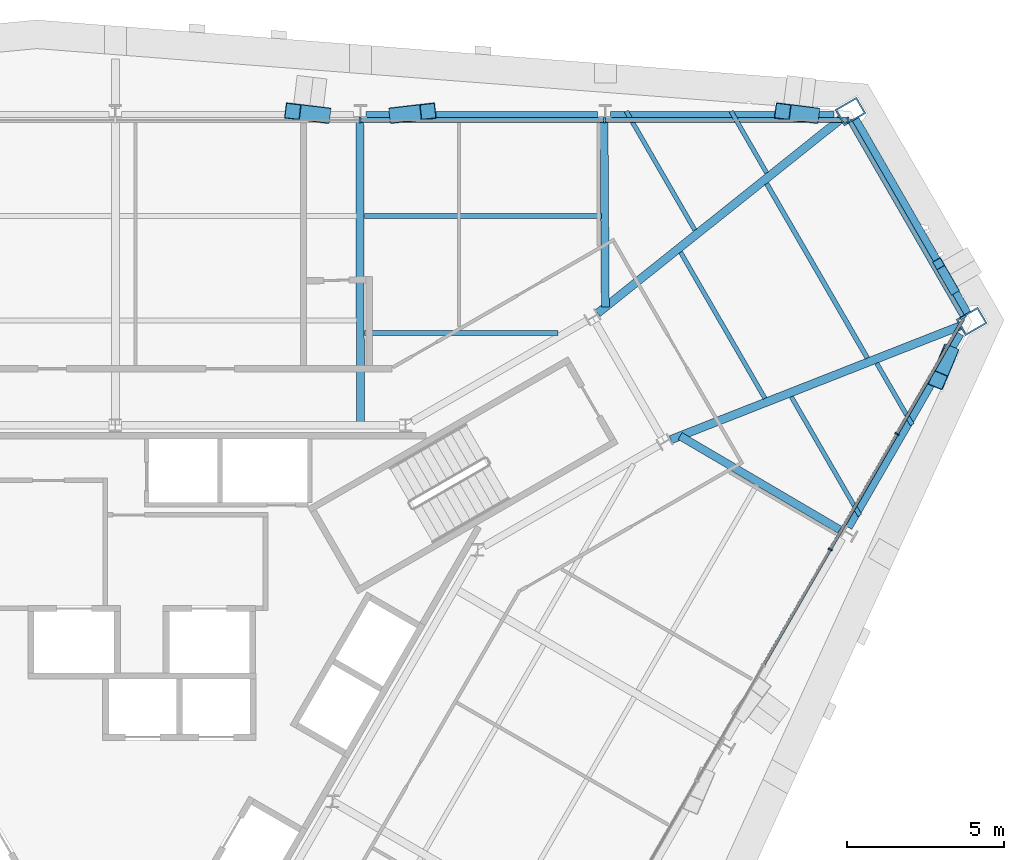
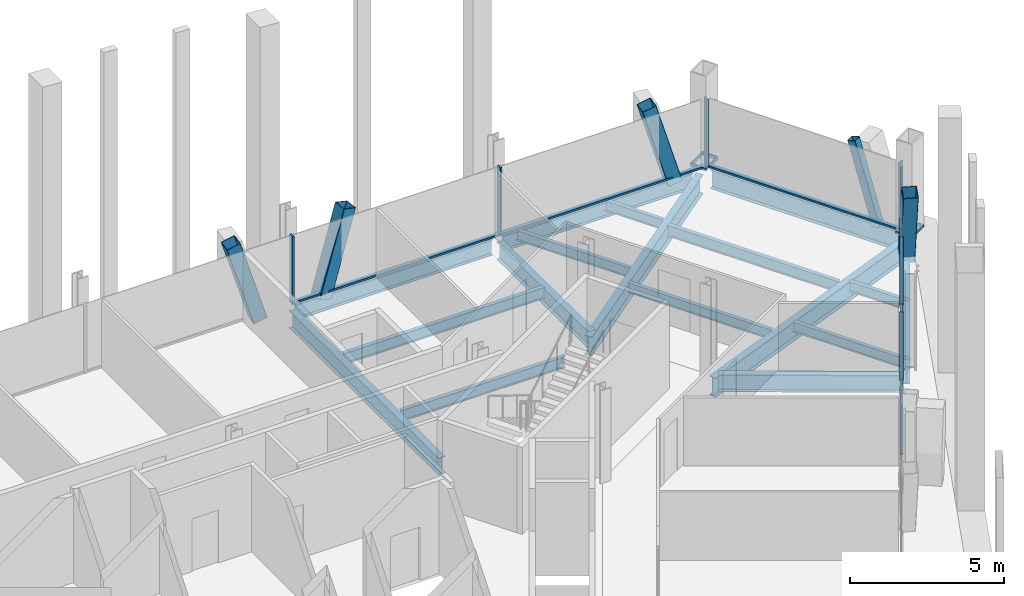
# One storey, part 10 of 17: 19 members, 17 beams, 3 elements without a shape of their own.
"""IFC4 building model written with IfcOpenShell, lengths in metres."""

from ifc_helpers import new_model, si_unit, direction, frame, origin, origin_2d, place, context, subcontext, project, spatial, rectangle, hollow_rectangle, i_section, extrude, material, material_profile, profile_set, type_object, element, aggregate, save


model = new_model("IFC4")

# Units and contexts
model_context = context("Model", 3, precision=1e-05, world=origin(), true_north=direction((0.0, 1.0)))
body_context = subcontext(model_context, "Body", "Model", "MODEL_VIEW")
ifc_project = project(units=[si_unit("LENGTHUNIT", "METRE"), si_unit("AREAUNIT", "SQUARE_METRE"), si_unit("VOLUMEUNIT", "CUBIC_METRE"), si_unit("PLANEANGLEUNIT", "RADIAN"), si_unit("MASSUNIT", "GRAM", prefix="KILO")], contexts=[model_context])

# Site, building, storey
site_placement = place(None, origin())
site = spatial("IfcSite", under=ifc_project, at=site_placement, CompositionType="ELEMENT")
building_placement = place(site_placement, origin())
building = spatial("IfcBuilding", under=site, at=building_placement, Name="Verrane Prism Tower", CompositionType="ELEMENT")
storey_placement = place(building_placement, frame((0.0, 0.0, 178.39990234375)))
storey = spatial("IfcBuildingStorey", under=building, at=storey_placement, Name="L44", CompositionType="ELEMENT", Elevation=178.39990234375)

# Member
ifc_material_1 = material(Name="Steel A500 Grade C", Category="steel")
ifc_material_profile_1 = material_profile(ifc_material_1, hollow_rectangle(XDim=0.3046875, YDim=0.3046875, WallThickness=0.0126953125, InnerFilletRadius=0.00634765625, OuterFilletRadius=0.01904296875, at=origin_2d()), Name="HSS12x12x1/2")
ifc_profile_set_1 = profile_set([ifc_material_profile_1], Name="Steel A500 Grade C")
member_type_1 = type_object("IfcMemberType", Name="Chamfer brace HSS12x12x1/2", PredefinedType="BRACE", material=ifc_profile_set_1)
member_1_placement = place(storey_placement, frame((26.722900390625, 12.34375, -0.242431640625), z_axis=(-0.143149284045, 0.247839428161, 0.958166948045), x_axis=(-0.865935940821, -0.500154922393, 0.0)))
element("IfcMember", 1, at=member_1_placement, inside=storey, type_object=member_type_1, Name="Chamfer brace NE0 L44", PredefinedType="BRACE", context=body_context, shape_type="SweptSolid", body=[
    extrude(hollow_rectangle(XDim=0.3046875, YDim=0.3046875, WallThickness=0.0126953125, InnerFilletRadius=0.00634765625, OuterFilletRadius=0.01904296875, at=origin_2d()), origin(), (0.0, 0.0, 1.0), 3.243896484375),
])

# Beams
ifc_material_2 = material(Name="Steel A992", Category="steel")
ifc_material_profile_2 = material_profile(ifc_material_2, i_section(OverallWidth=0.2666015625, OverallDepth=0.7568359375, WebThickness=0.013916015625, FlangeThickness=0.019287109375, FilletRadius=0.0166015625, at=origin_2d()), Name="W30x108")
ifc_profile_set_2 = profile_set([ifc_material_profile_2], Name="Steel A992")
beam_type_1 = type_object("IfcBeamType", Name="Chamfer spandrel beam W30x108", PredefinedType="SPANDREL", material=ifc_profile_set_2)
beam_1_placement = place(storey_placement, frame((27.169921875, 11.56982421875, -0.538330078125), z_axis=(-0.500163614961, 0.865930920033, 0.0), x_axis=(-0.865930920033, -0.500163614961, 0.0)))
element("IfcBeam", 2, at=beam_1_placement, inside=storey, type_object=beam_type_1, Name="Chamfer spandrel beam L44", PredefinedType="SPANDREL", context=body_context, shape_type="SweptSolid", body=[
    extrude(i_section(OverallWidth=0.2666015625, OverallDepth=0.7568359375, WebThickness=0.013916015625, FlangeThickness=0.019287109375, FilletRadius=0.0166015625, at=origin_2d()), origin(), (0.0, 0.0, 1.0), 7.13720703125),
])
ifc_material_3 = material(Name="Steel A992", Category="steel")
ifc_material_profile_3 = material_profile(ifc_material_3, i_section(OverallWidth=0.2666015625, OverallDepth=0.76708984375, WebThickness=0.014892578125, FlangeThickness=0.023681640625, FilletRadius=0.0166015625, at=origin_2d()), Name="W30x124")
ifc_profile_set_3 = profile_set([ifc_material_profile_3], Name="Steel A992")
beam_type_2 = type_object("IfcBeamType", Name="Corner girder W30x124", PredefinedType="BEAM", material=ifc_profile_set_3)
beam_2_placement = place(storey_placement, frame((26.943603515625, 11.162109375, -0.603515625), z_axis=(-0.930755085218, -0.365643229583, 0.0), x_axis=(0.365643229583, -0.930755085218, 0.0)))
element("IfcBeam", 3, at=beam_2_placement, inside=storey, type_object=beam_type_2, Name="Corner girder L44", PredefinedType="BEAM", context=body_context, shape_type="SweptSolid", body=[
    extrude(i_section(OverallWidth=0.2666015625, OverallDepth=0.76708984375, WebThickness=0.014892578125, FlangeThickness=0.023681640625, FilletRadius=0.0166015625, at=origin_2d()), origin(), (0.0, 0.0, 1.0), 9.9140625),
])
beam_3_placement = place(storey_placement, frame((23.1337890625, 17.757568359375, -0.603515625), z_axis=(-0.781514558867, -0.623887004415, 0.0), x_axis=(0.623887004415, -0.781514558867, 0.0)))
element("IfcBeam", 4, at=beam_3_placement, inside=storey, type_object=beam_type_2, Name="Corner girder L44", PredefinedType="BEAM", context=body_context, shape_type="SweptSolid", body=[
    extrude(i_section(OverallWidth=0.2666015625, OverallDepth=0.76708984375, WebThickness=0.014892578125, FlangeThickness=0.023681640625, FilletRadius=0.0166015625, at=origin_2d()), origin(), (0.0, 0.0, 1.0), 9.915771484375),
])

# Members
ifc_material_4 = material(Name="Steel A500 Grade C", Category="steel")
ifc_material_profile_4 = material_profile(ifc_material_4, hollow_rectangle(XDim=0.508056640625, YDim=0.508056640625, WallThickness=0.01904296875, InnerFilletRadius=0.009521484375, OuterFilletRadius=0.028564453125, at=origin_2d()), Name="HSS20x20x3/4")
ifc_profile_set_4 = profile_set([ifc_material_profile_4], Name="Steel A500 Grade C")
member_type_2 = type_object("IfcMemberType", Name="Facade brace HSS20x20x3/4", PredefinedType="BRACE", material=ifc_profile_set_4)
member_2_placement = place(storey_placement, frame((22.198486328125, 17.89453125, -0.216552734375), z_axis=(-0.273925074189, 0.034727032992, 0.96112386658), x_axis=(-0.125769007922, -0.992059552974, 0.0)))
element("IfcMember", 5, at=member_2_placement, inside=storey, type_object=member_type_2, Name="Facade brace N0 L44", PredefinedType="BRACE", context=body_context, shape_type="SweptSolid", body=[
    extrude(hollow_rectangle(XDim=0.508056640625, YDim=0.508056640625, WallThickness=0.01904296875, InnerFilletRadius=0.009521484375, OuterFilletRadius=0.028564453125, at=origin_2d()), origin(), (0.0, 0.0, 1.0), 3.325439453125),
])
member_3_placement = place(storey_placement, frame((8.987548828125, 17.89453125, -0.216552734375), z_axis=(0.294643685169, 0.034505190167, 0.95498402638), x_axis=(-0.116313331405, 0.993212569865, 0.0)))
element("IfcMember", 6, at=member_3_placement, inside=storey, type_object=member_type_2, Name="Facade brace N1 L44", PredefinedType="BRACE", context=body_context, shape_type="SweptSolid", body=[
    extrude(hollow_rectangle(XDim=0.508056640625, YDim=0.508056640625, WallThickness=0.01904296875, InnerFilletRadius=0.009521484375, OuterFilletRadius=0.028564453125, at=origin_2d()), origin(), (0.0, 0.0, 1.0), 3.3466796875),
])
member_4_placement = place(storey_placement, frame((6.6083984375, 17.89453125, -0.216552734375), z_axis=(-0.284199622973, 0.034619217529, 0.958139908406), x_axis=(-0.120919209991, -0.992662351787, 0.0)))
element("IfcMember", 7, at=member_4_placement, inside=storey, type_object=member_type_2, Name="Facade brace N2 L44", PredefinedType="BRACE", context=body_context, shape_type="SweptSolid", body=[
    extrude(hollow_rectangle(XDim=0.508056640625, YDim=0.508056640625, WallThickness=0.01904296875, InnerFilletRadius=0.009521484375, OuterFilletRadius=0.028564453125, at=origin_2d()), origin(), (0.0, 0.0, 1.0), 3.335693359375),
])
member_5_placement = place(storey_placement, frame((26.59375, 10.281982421875, -0.216552734375), z_axis=(-0.10677153414, -0.253931200177, 0.961310972097), x_axis=(0.921825945388, -0.387604084614, 0.0)))
element("IfcMember", 8, at=member_5_placement, inside=storey, type_object=member_type_2, Name="Facade brace SE5 L44", PredefinedType="BRACE", context=body_context, shape_type="SweptSolid", body=[
    extrude(hollow_rectangle(XDim=0.508056640625, YDim=0.508056640625, WallThickness=0.01904296875, InnerFilletRadius=0.009521484375, OuterFilletRadius=0.028564453125, at=origin_2d()), origin(), (0.0, 0.0, 1.0), 3.32470703125),
])

# Beams
ifc_material_5 = material(Name="Steel A992", Category="steel")
ifc_material_profile_5 = material_profile(ifc_material_5, i_section(OverallWidth=0.140380859375, OverallDepth=0.40380859375, WebThickness=0.007080078125, FlangeThickness=0.01123046875, FilletRadius=0.01025390625, at=origin_2d()), Name="W16x31")
ifc_profile_set_5 = profile_set([ifc_material_profile_5], Name="Steel A992")
beam_type_3 = type_object("IfcBeamType", Name="Floor beam W16x31", PredefinedType="BEAM", material=ifc_profile_set_5)
beam_4_placement = place(storey_placement, frame((20.77587890625, 16.046875, -0.36181640625), z_axis=(-0.50004252553, 0.866000850266, 0.0), x_axis=(-0.866000850266, -0.50004252553, 0.0)))
element("IfcBeam", 9, at=beam_4_placement, inside=storey, type_object=beam_type_3, Name="Floor beam L44", PredefinedType="BEAM", context=body_context, shape_type="SweptSolid", body=[
    extrude(i_section(OverallWidth=0.140380859375, OverallDepth=0.40380859375, WebThickness=0.007080078125, FlangeThickness=0.01123046875, FilletRadius=0.01025390625, at=origin_2d()), origin(), (0.0, 0.0, 1.0), 2.266845703125),
])
beam_5_placement = place(storey_placement, frame((18.4853515625, 14.21923828125, -0.36181640625), z_axis=(-0.499978346259, 0.866037905217, 0.0), x_axis=(-0.866037905217, -0.499978346259, 0.0)))
element("IfcBeam", 10, at=beam_5_placement, inside=storey, type_object=beam_type_3, Name="Floor beam L44", PredefinedType="BEAM", context=body_context, shape_type="SweptSolid", body=[
    extrude(i_section(OverallWidth=0.140380859375, OverallDepth=0.40380859375, WebThickness=0.007080078125, FlangeThickness=0.01123046875, FilletRadius=0.01025390625, at=origin_2d()), origin(), (0.0, 0.0, 1.0), 4.377197265625),
])
beam_6_placement = place(storey_placement, frame((25.41748046875, 8.015869140625, -0.36181640625), z_axis=(-0.49995000081, 0.866054268906, 0.0), x_axis=(-0.866054268906, -0.49995000081, 0.0)))
element("IfcBeam", 11, at=beam_6_placement, inside=storey, type_object=beam_type_3, Name="Floor beam L44", PredefinedType="BEAM", context=body_context, shape_type="SweptSolid", body=[
    extrude(i_section(OverallWidth=0.140380859375, OverallDepth=0.40380859375, WebThickness=0.007080078125, FlangeThickness=0.01123046875, FilletRadius=0.01025390625, at=origin_2d()), origin(), (0.0, 0.0, 1.0), 2.260009765625),
])
beam_7_placement = place(storey_placement, frame((23.74609375, 5.12158203125, -0.36181640625), z_axis=(-0.500001698484, 0.866024423162, 0.0), x_axis=(-0.866024423162, -0.500001698484, 0.0)))
element("IfcBeam", 12, at=beam_7_placement, inside=storey, type_object=beam_type_3, Name="Floor beam L44", PredefinedType="BEAM", context=body_context, shape_type="SweptSolid", body=[
    extrude(i_section(OverallWidth=0.140380859375, OverallDepth=0.40380859375, WebThickness=0.007080078125, FlangeThickness=0.01123046875, FilletRadius=0.01025390625, at=origin_2d()), origin(), (0.0, 0.0, 1.0), 4.3642578125),
])
beam_8_placement = place(storey_placement, frame((20.72021484375, 8.856201171875, -0.36181640625), z_axis=(-0.500019726309, 0.866014014495, 0.0), x_axis=(-0.866014014495, -0.500019726309, 0.0)))
element("IfcBeam", 13, at=beam_8_placement, inside=storey, type_object=beam_type_3, Name="Floor beam L44", PredefinedType="BEAM", context=body_context, shape_type="SweptSolid", body=[
    extrude(i_section(OverallWidth=0.140380859375, OverallDepth=0.40380859375, WebThickness=0.007080078125, FlangeThickness=0.01123046875, FilletRadius=0.01025390625, at=origin_2d()), origin(), (0.0, 0.0, 1.0), 5.379150390625),
])
ifc_material_6 = material(Name="Steel A992", Category="steel")
ifc_material_profile_6 = material_profile(ifc_material_6, i_section(OverallWidth=0.15234375, OverallDepth=0.449462890625, WebThickness=0.007568359375, FlangeThickness=0.0107421875, FilletRadius=0.01025390625, at=origin_2d()), Name="W18x35")
ifc_profile_set_6 = profile_set([ifc_material_profile_6], Name="Steel A992")
beam_type_4 = type_object("IfcBeamType", Name="Floor beam W18x35", PredefinedType="BEAM", material=ifc_profile_set_6)
beam_9_placement = place(storey_placement, frame((7.947021484375, 10.936767578125, -0.384765625), z_axis=(1.0, 0.0, 0.0), x_axis=(0.0, 1.0, 0.0)))
element("IfcBeam", 14, at=beam_9_placement, inside=storey, type_object=beam_type_4, Name="Floor beam L44", PredefinedType="BEAM", context=body_context, shape_type="SweptSolid", body=[
    extrude(i_section(OverallWidth=0.15234375, OverallDepth=0.449462890625, WebThickness=0.007568359375, FlangeThickness=0.0107421875, FilletRadius=0.01025390625, at=origin_2d()), origin(), (0.0, 0.0, 1.0), 6.1708984375),
])
beam_10_placement = place(storey_placement, frame((7.947021484375, 14.67333984375, -0.384765625), z_axis=(1.0, 0.0, 0.0), x_axis=(0.0, 1.0, 0.0)))
element("IfcBeam", 15, at=beam_10_placement, inside=storey, type_object=beam_type_4, Name="Floor beam L44", PredefinedType="BEAM", context=body_context, shape_type="SweptSolid", body=[
    extrude(i_section(OverallWidth=0.15234375, OverallDepth=0.449462890625, WebThickness=0.007568359375, FlangeThickness=0.0107421875, FilletRadius=0.01025390625, at=origin_2d()), origin(), (0.0, 0.0, 1.0), 7.555908203125),
])
beam_11_placement = place(storey_placement, frame((23.986328125, 10.1416015625, -0.384765625), z_axis=(-0.500002112793, 0.866024183959, 0.0), x_axis=(-0.866024183959, -0.500002112793, 0.0)))
element("IfcBeam", 16, at=beam_11_placement, inside=storey, type_object=beam_type_4, Name="Floor beam L44", PredefinedType="BEAM", context=body_context, shape_type="SweptSolid", body=[
    extrude(i_section(OverallWidth=0.15234375, OverallDepth=0.449462890625, WebThickness=0.007568359375, FlangeThickness=0.0107421875, FilletRadius=0.01025390625, at=origin_2d()), origin(), (0.0, 0.0, 1.0), 6.42333984375),
])

# Members
ifc_material_7 = material(Name="Steel A572 Grade 50", Category="steel")
ifc_material_profile_7 = material_profile(ifc_material_7, hollow_rectangle(XDim=0.60009765625, YDim=0.800048828125, WallThickness=0.050048828125, at=origin_2d()), Name="BOX 800x600x50")
ifc_profile_set_7 = profile_set([ifc_material_profile_7], Name="Steel A572 Grade 50")
member_type_3 = type_object("IfcMemberType", Name="Kink node BOX 800x600x50", PredefinedType="COLLAR", material=ifc_profile_set_7)
for number, where, z_axis, x_axis, name in (
    (17, (27.31298828125, 11.309814453125, -0.06494140625), (0.0, 0.0, 1.0), (0.5, -0.866025403784, 0.0), "Kink node MC4 L44"),
    (18, (23.446533203125, 18.00390625, -0.06494140625), (0.0, 0.0, 1.0), (0.5, -0.866025403784, 0.0), "Kink node MC4 L44"),
):
    element("IfcMember", number, at=place(storey_placement, frame(where, z_axis=z_axis, x_axis=x_axis)), inside=storey, type_object=member_type_3, Name=name, PredefinedType="COLLAR", context=body_context, shape_type="SweptSolid", body=[
        extrude(hollow_rectangle(XDim=0.60009765625, YDim=0.800048828125, WallThickness=0.050048828125, at=origin_2d()), origin(), (0.0, 0.0, 1.0), 0.130126953125),
    ])

# Curtain wall, members
ifc_material_8 = material(Name="Aluminium framed insulated glazing", Category="aluminium")
curtain_wall_type_1 = type_object("IfcCurtainWallType", Name="Curtain wall CW-C 4200 module", PredefinedType="NOTDEFINED", material=ifc_material_8)
curtain_wall_1_placement = place(storey_placement, origin())
curtain_wall_1 = element("IfcCurtainWall", 19, at=curtain_wall_1_placement, inside=storey, type_object=curtain_wall_type_1, Name="Glazed curtain wall south-east face L44", PredefinedType="NOTDEFINED")
ifc_material_9 = material(Name="Aluminium alloy 6063-T6", Category="aluminium")
ifc_material_profile_8 = material_profile(ifc_material_9, rectangle(XDim=0.139892578125, YDim=0.050048828125, at=origin_2d()), Name="Mullion 50x140 aluminium")
ifc_profile_set_8 = profile_set([ifc_material_profile_8], Name="Aluminium alloy 6063-T6")
member_type_4 = type_object("IfcMemberType", Name="Mullion 50x140 aluminium", PredefinedType="MULLION", material=ifc_profile_set_8)
member_6_placement = place(storey_placement, frame((22.8037109375, 4.03515625, 0.0), z_axis=(0.0, 0.0, 1.0), x_axis=(-0.866025734201, 0.499999427701, 0.0)))
member_6 = element("IfcMember", 20, at=member_6_placement, type_object=member_type_4, Name="CW44.6 mullion 10", PredefinedType="MULLION", context=body_context, shape_type="SweptSolid", body=[
    extrude(rectangle(XDim=0.139892578125, YDim=0.050048828125, at=origin_2d()), origin(), (0.0, 0.0, 1.0), 2.712890625),
])
member_7_placement = place(storey_placement, frame((24.931640625, 7.720947265625, 0.0), z_axis=(0.0, 0.0, 1.0), x_axis=(-0.866025734201, 0.499999427701, 0.0)))
member_7 = element("IfcMember", 21, at=member_7_placement, type_object=member_type_4, Name="CW44.6 mullion 11", PredefinedType="MULLION", context=body_context, shape_type="SweptSolid", body=[
    extrude(rectangle(XDim=0.139892578125, YDim=0.050048828125, at=origin_2d()), origin(), (0.0, 0.0, 1.0), 2.712890625),
])

# Curtain wall, member
ifc_material_10 = material(Name="Aluminium framed insulated glazing", Category="aluminium")
curtain_wall_type_2 = type_object("IfcCurtainWallType", Name="Curtain wall CW-A 8400 module", PredefinedType="NOTDEFINED", material=ifc_material_10)
curtain_wall_2_placement = place(storey_placement, origin())
curtain_wall_2 = element("IfcCurtainWall", 22, at=curtain_wall_2_placement, inside=storey, type_object=curtain_wall_type_2, Name="Glazed curtain wall north-east corner L44", PredefinedType="NOTDEFINED")
ifc_material_11 = material(Name="Aluminium alloy 6063-T6", Category="aluminium")
ifc_material_profile_9 = material_profile(ifc_material_11, rectangle(XDim=0.199951171875, YDim=0.070068359375, at=origin_2d()), Name="Mullion 70x200 aluminium")
ifc_profile_set_9 = profile_set([ifc_material_profile_9], Name="Aluminium alloy 6063-T6")
member_type_5 = type_object("IfcMemberType", Name="Mullion 70x200 aluminium", PredefinedType="MULLION", material=ifc_profile_set_9)
member_8_placement = place(storey_placement, frame((27.042236328125, 11.43701171875, 0.0), z_axis=(0.0, 0.0, 1.0), x_axis=(-0.866024133208, -0.500002200696, 0.0)))
member_8 = element("IfcMember", 23, at=member_8_placement, type_object=member_type_5, Name="CW44.1 mullion 1", PredefinedType="MULLION", context=body_context, shape_type="SweptSolid", body=[
    extrude(rectangle(XDim=0.199951171875, YDim=0.070068359375, at=origin_2d()), origin(), (0.0, 0.0, 1.0), 2.712890625),
])

# Curtain wall, members
curtain_wall_3_placement = place(storey_placement, origin())
curtain_wall_3 = element("IfcCurtainWall", 24, at=curtain_wall_3_placement, inside=storey, type_object=curtain_wall_type_2, Name="Glazed curtain wall north face L44", PredefinedType="NOTDEFINED")
member_9_placement = place(storey_placement, frame((23.373291015625, 17.73095703125, 0.0), z_axis=(0.0, 0.0, 1.0), x_axis=(0.0, -1.0, 0.0)))
member_9 = element("IfcMember", 25, at=member_9_placement, type_object=member_type_5, Name="CW44.2 mullion 1", PredefinedType="MULLION", context=body_context, shape_type="SweptSolid", body=[
    extrude(rectangle(XDim=0.199951171875, YDim=0.070068359375, at=origin_2d()), origin(), (0.0, 0.0, 1.0), 2.712890625),
])
member_10_placement = place(storey_placement, frame((15.605712890625, 17.73095703125, 0.0), z_axis=(0.0, 0.0, 1.0), x_axis=(0.0, -1.0, 0.0)))
member_10 = element("IfcMember", 26, at=member_10_placement, type_object=member_type_5, Name="CW44.2 mullion 2", PredefinedType="MULLION", context=body_context, shape_type="SweptSolid", body=[
    extrude(rectangle(XDim=0.199951171875, YDim=0.070068359375, at=origin_2d()), origin(), (0.0, 0.0, 1.0), 2.712890625),
])
member_11_placement = place(storey_placement, frame((7.802734375, 17.73095703125, 0.0), z_axis=(0.0, 0.0, 1.0), x_axis=(0.0, -1.0, 0.0)))
member_11 = element("IfcMember", 27, at=member_11_placement, type_object=member_type_5, Name="CW44.2 mullion 3", PredefinedType="MULLION", context=body_context, shape_type="SweptSolid", body=[
    extrude(rectangle(XDim=0.199951171875, YDim=0.070068359375, at=origin_2d()), origin(), (0.0, 0.0, 1.0), 2.712890625),
])

# Beams
ifc_material_12 = material(Name="Steel A992", Category="steel")
ifc_material_profile_10 = material_profile(ifc_material_12, i_section(OverallWidth=0.25390625, OverallDepth=0.683349609375, WebThickness=0.012451171875, FlangeThickness=0.01904296875, FilletRadius=0.01513671875, at=origin_2d()), Name="W27x94")
ifc_profile_set_10 = profile_set([ifc_material_profile_10], Name="Steel A992")
beam_type_5 = type_object("IfcBeamType", Name="Radial girder W27x94", PredefinedType="BEAM", material=ifc_profile_set_10)
beam_12_placement = place(storey_placement, frame((15.588623046875, 17.686279296875, -0.5615234375), z_axis=(0.006970627542, -0.999975704881, 0.0), x_axis=(0.999975704881, 0.006970627542, 0.0)))
element("IfcBeam", 28, at=beam_12_placement, inside=storey, type_object=beam_type_5, Name="Radial girder L44", PredefinedType="BEAM", context=body_context, shape_type="SweptSolid", body=[
    extrude(i_section(OverallWidth=0.25390625, OverallDepth=0.683349609375, WebThickness=0.012451171875, FlangeThickness=0.01904296875, FilletRadius=0.01513671875, at=origin_2d()), origin(), (0.0, 0.0, 1.0), 5.919189453125),
])
beam_13_placement = place(storey_placement, frame((7.79736328125, 17.686279296875, -0.5615234375), z_axis=(0.002344038929, -0.999997252737, 0.0), x_axis=(0.999997252737, 0.002344038929, 0.0)))
element("IfcBeam", 29, at=beam_13_placement, inside=storey, type_object=beam_type_5, Name="Radial girder L44", PredefinedType="BEAM", context=body_context, shape_type="SweptSolid", body=[
    extrude(i_section(OverallWidth=0.25390625, OverallDepth=0.683349609375, WebThickness=0.012451171875, FlangeThickness=0.01904296875, FilletRadius=0.01513671875, at=origin_2d()), origin(), (0.0, 0.0, 1.0), 9.686279296875),
])
beam_14_placement = place(storey_placement, frame((23.1083984375, 4.66357421875, -0.5615234375), z_axis=(-0.862298466837, 0.50640038911, 0.0), x_axis=(-0.50640038911, -0.862298466837, 0.0)))
element("IfcBeam", 30, at=beam_14_placement, inside=storey, type_object=beam_type_5, Name="Radial girder L44", PredefinedType="BEAM", context=body_context, shape_type="SweptSolid", body=[
    extrude(i_section(OverallWidth=0.25390625, OverallDepth=0.683349609375, WebThickness=0.012451171875, FlangeThickness=0.01904296875, FilletRadius=0.01513671875, at=origin_2d()), origin(), (0.0, 0.0, 1.0), 5.90625),
])
ifc_material_13 = material(Name="Steel A992", Category="steel")
ifc_material_profile_11 = material_profile(ifc_material_13, i_section(OverallWidth=0.23046875, OverallDepth=0.6171875, WebThickness=0.01318359375, FlangeThickness=0.022216796875, FilletRadius=0.012939453125, at=origin_2d()), Name="W24x94")
ifc_profile_set_11 = profile_set([ifc_material_profile_11], Name="Steel A992")
beam_type_6 = type_object("IfcBeamType", Name="Spandrel beam W24x94", PredefinedType="SPANDREL", material=ifc_profile_set_11)
beam_15_placement = place(storey_placement, frame((22.922119140625, 17.89453125, -0.468505859375), z_axis=(-1.0, 0.0, 0.0), x_axis=(0.0, -1.0, 0.0)))
element("IfcBeam", 31, at=beam_15_placement, inside=storey, type_object=beam_type_6, Name="Spandrel beam L44", PredefinedType="SPANDREL", context=body_context, shape_type="SweptSolid", body=[
    extrude(i_section(OverallWidth=0.23046875, OverallDepth=0.6171875, WebThickness=0.01318359375, FlangeThickness=0.022216796875, FilletRadius=0.012939453125, at=origin_2d()), origin(), (0.0, 0.0, 1.0), 7.1318359375),
])
beam_16_placement = place(storey_placement, frame((15.3837890625, 17.89453125, -0.468505859375), z_axis=(-1.0, 0.0, 0.0), x_axis=(0.0, -1.0, 0.0)))
element("IfcBeam", 32, at=beam_16_placement, inside=storey, type_object=beam_type_6, Name="Spandrel beam L44", PredefinedType="SPANDREL", context=body_context, shape_type="SweptSolid", body=[
    extrude(i_section(OverallWidth=0.23046875, OverallDepth=0.6171875, WebThickness=0.01318359375, FlangeThickness=0.022216796875, FilletRadius=0.012939453125, at=origin_2d()), origin(), (0.0, 0.0, 1.0), 7.3837890625),
])
beam_17_placement = place(storey_placement, frame((23.3896484375, 4.734130859375, -0.468505859375), z_axis=(0.500123562655, 0.865954053098, 0.0), x_axis=(-0.865954053098, 0.500123562655, 0.0)))
element("IfcBeam", 33, at=beam_17_placement, inside=storey, type_object=beam_type_6, Name="Spandrel beam L44", PredefinedType="SPANDREL", context=body_context, shape_type="SweptSolid", body=[
    extrude(i_section(OverallWidth=0.23046875, OverallDepth=0.6171875, WebThickness=0.01318359375, FlangeThickness=0.022216796875, FilletRadius=0.012939453125, at=origin_2d()), origin(), (0.0, 0.0, 1.0), 7.130126953125),
])

# Member
ifc_material_14 = material(Name="Aluminium alloy 6063-T6", Category="aluminium")
ifc_material_profile_12 = material_profile(ifc_material_14, rectangle(XDim=0.10009765625, YDim=0.050048828125, at=origin_2d()), Name="Transom 50x100 aluminium")
ifc_profile_set_12 = profile_set([ifc_material_profile_12], Name="Aluminium alloy 6063-T6")
member_type_6 = type_object("IfcMemberType", Name="Transom 50x100 aluminium", PredefinedType="USERDEFINED", material=ifc_profile_set_12)
member_12_placement = place(storey_placement, frame((20.68798828125, 0.370849609375, 0.025146484375), z_axis=(0.499997126074, 0.86602706304, 0.0), x_axis=(-0.86602706304, 0.499997126074, 0.0)))
member_12 = element("IfcMember", 34, at=member_12_placement, type_object=member_type_6, Name="CW44.6 transom 9", ObjectType="TRANSOM", PredefinedType="USERDEFINED", context=body_context, shape_type="SweptSolid", body=[
    extrude(rectangle(XDim=0.10009765625, YDim=0.050048828125, at=origin_2d()), origin(), (0.0, 0.0, 1.0), 4.2060546875),
])

member_13_placement = place(storey_placement, frame((22.816162109375, 4.056640625, 0.025146484375), z_axis=(0.499997126074, 0.86602706304, 0.0), x_axis=(-0.86602706304, 0.499997126074, 0.0)))
member_13 = element("IfcMember", 35, at=member_13_placement, type_object=member_type_6, Name="CW44.6 transom 10", ObjectType="TRANSOM", PredefinedType="USERDEFINED", context=body_context, shape_type="SweptSolid", body=[
    extrude(rectangle(XDim=0.10009765625, YDim=0.050048828125, at=origin_2d()), origin(), (0.0, 0.0, 1.0), 4.2060546875),
])

member_14_placement = place(storey_placement, frame((24.944091796875, 7.74267578125, 0.025146484375), z_axis=(0.500048779063, 0.865997239347, 0.0), x_axis=(-0.865997239347, 0.500048779063, 0.0)))
member_14 = element("IfcMember", 36, at=member_14_placement, type_object=member_type_6, Name="CW44.6 transom 11", ObjectType="TRANSOM", PredefinedType="USERDEFINED", context=body_context, shape_type="SweptSolid", body=[
    extrude(rectangle(XDim=0.10009765625, YDim=0.050048828125, at=origin_2d()), origin(), (0.0, 0.0, 1.0), 4.23095703125),
])

aggregate(curtain_wall_1, [member_6, member_7, member_12, member_13, member_14])

ifc_material_15 = material(Name="Aluminium alloy 6063-T6", Category="aluminium")
ifc_material_profile_13 = material_profile(ifc_material_15, rectangle(XDim=0.14990234375, YDim=0.070068359375, at=origin_2d()), Name="Transom 70x150 aluminium")
ifc_profile_set_13 = profile_set([ifc_material_profile_13], Name="Aluminium alloy 6063-T6")
member_type_7 = type_object("IfcMemberType", Name="Transom 70x150 aluminium", PredefinedType="USERDEFINED", material=ifc_profile_set_13)
member_15_placement = place(storey_placement, frame((27.024658203125, 11.467529296875, 0.03515625), z_axis=(-0.500001996123, 0.866024251319, 0.0), x_axis=(-0.866024251319, -0.500001996123, 0.0)))
member_15 = element("IfcMember", 37, at=member_15_placement, type_object=member_type_7, Name="CW44.1 transom 1", ObjectType="TRANSOM", PredefinedType="USERDEFINED", context=body_context, shape_type="SweptSolid", body=[
    extrude(rectangle(XDim=0.14990234375, YDim=0.070068359375, at=origin_2d()), origin(), (0.0, 0.0, 1.0), 7.232421875),
])

aggregate(curtain_wall_2, [member_8, member_15])

member_16_placement = place(storey_placement, frame((23.33837890625, 17.73095703125, 0.03515625), z_axis=(-1.0, 0.0, 0.0), x_axis=(0.0, -1.0, 0.0)))
member_16 = element("IfcMember", 38, at=member_16_placement, type_object=member_type_7, Name="CW44.2 transom 1", ObjectType="TRANSOM", PredefinedType="USERDEFINED", context=body_context, shape_type="SweptSolid", body=[
    extrude(rectangle(XDim=0.14990234375, YDim=0.070068359375, at=origin_2d()), origin(), (0.0, 0.0, 1.0), 7.69775390625),
])

member_17_placement = place(storey_placement, frame((15.570556640625, 17.73095703125, 0.03515625), z_axis=(-1.0, 0.0, 0.0), x_axis=(0.0, -1.0, 0.0)))
member_17 = element("IfcMember", 39, at=member_17_placement, type_object=member_type_7, Name="CW44.2 transom 2", ObjectType="TRANSOM", PredefinedType="USERDEFINED", context=body_context, shape_type="SweptSolid", body=[
    extrude(rectangle(XDim=0.14990234375, YDim=0.070068359375, at=origin_2d()), origin(), (0.0, 0.0, 1.0), 7.732666015625),
])

aggregate(curtain_wall_3, [member_9, member_10, member_11, member_16, member_17])

save(model, "model.ifc")
